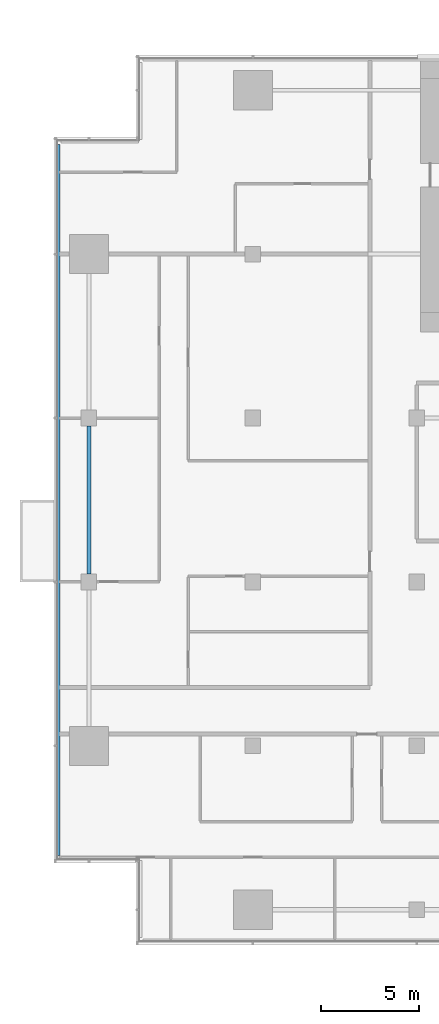
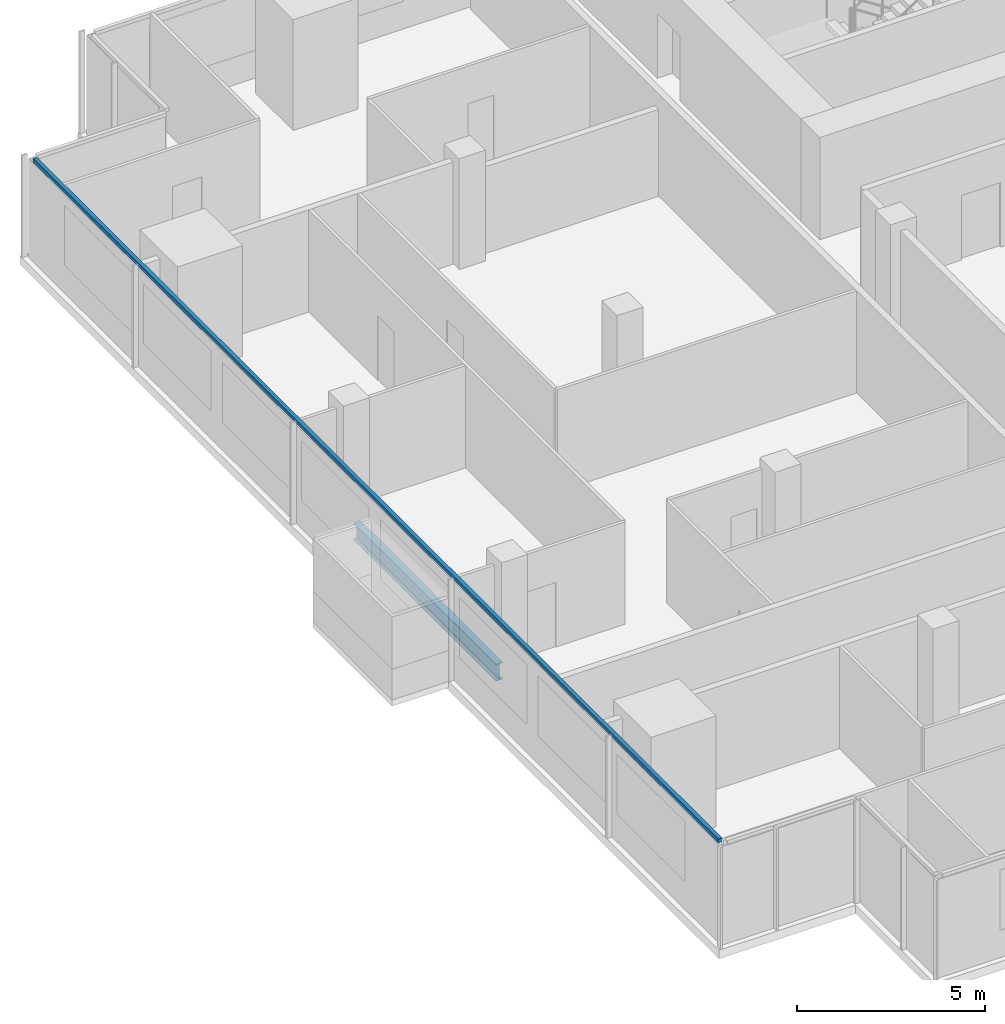
# One storey, part 3 of 26: 1 beam, 1 member, 1 element without a shape of its own.
"""IFC4 building model written with IfcOpenShell, lengths in metres."""

from ifc_helpers import new_model, si_unit, direction, frame, origin, origin_2d, place, context, subcontext, project, spatial, rectangle, i_section, extrude, material, material_profile, profile_set, type_object, element, aggregate, save


model = new_model("IFC4")

# Units and contexts
model_context = context("Model", 3, precision=1e-05, world=origin(), true_north=direction((0.0, 1.0)))
body_context = subcontext(model_context, "Body", "Model", "MODEL_VIEW")
ifc_project = project(units=[si_unit("LENGTHUNIT", "METRE"), si_unit("AREAUNIT", "SQUARE_METRE"), si_unit("VOLUMEUNIT", "CUBIC_METRE"), si_unit("PLANEANGLEUNIT", "RADIAN"), si_unit("MASSUNIT", "GRAM", prefix="KILO")], contexts=[model_context])

# Site, building, storey
site_placement = place(None, origin())
site = spatial("IfcSite", under=ifc_project, at=site_placement, CompositionType="ELEMENT")
building_placement = place(site_placement, origin())
building = spatial("IfcBuilding", under=site, at=building_placement, Name="Saffron Gate Tower", CompositionType="ELEMENT")
storey_placement = place(building_placement, frame((0.0, 0.0, 120.449951171875)))
storey = spatial("IfcBuildingStorey", under=building, at=storey_placement, Name="L28", CompositionType="ELEMENT", Elevation=120.449951171875)

# Beam
ifc_material_1 = material(Name="Structural steel S355", Category="steel")
ifc_material_profile_1 = material_profile(ifc_material_1, i_section(OverallWidth=0.2099609375, OverallDepth=0.550048828125, WebThickness=0.010986328125, FlangeThickness=0.01708984375, FilletRadius=0.02392578125, at=origin_2d()))
ifc_profile_set_1 = profile_set([ifc_material_profile_1], Name="Structural steel S355")
beam_type = type_object("IfcBeamType", Name="B13 IPE 550", PredefinedType="SPANDREL", material=ifc_profile_set_1)
beam_placement = place(storey_placement, frame((49.800048828125, 49.0, -0.554931640625), z_axis=(0.0, 1.0, 0.0), x_axis=(-1.0, 0.0, 0.0)))
element("IfcBeam", 1, at=beam_placement, inside=storey, type_object=beam_type, Name="B13 SPANDREL BEAM", PredefinedType="SPANDREL", context=body_context, shape_type="SweptSolid", body=[
    extrude(i_section(OverallWidth=0.2099609375, OverallDepth=0.550048828125, WebThickness=0.010986328125, FlangeThickness=0.01708984375, FilletRadius=0.02392578125, at=origin_2d()), origin(), (0.0, 0.0, 1.0), 7.60009765625),
])

# Curtain wall, member
ifc_material_2 = material(Name="Aluminium, bronze anodised", Category="aluminium")
curtain_wall_type = type_object("IfcCurtainWallType", Name="CWS2 curtain wall side facades", PredefinedType="NOTDEFINED", material=ifc_material_2)
curtain_wall_placement = place(storey_placement, origin())
curtain_wall = element("IfcCurtainWall", 2, at=curtain_wall_placement, inside=storey, type_object=curtain_wall_type, Name="CWS2 run 10", PredefinedType="NOTDEFINED")
ifc_material_profile_2 = material_profile(ifc_material_2, rectangle(XDim=0.1201171875, YDim=0.1201171875, at=origin_2d()))
ifc_profile_set_2 = profile_set([ifc_material_profile_2], Name="Aluminium, bronze anodised")
member_type = type_object("IfcMemberType", Name="CWS2 head transom", PredefinedType="USERDEFINED", material=ifc_profile_set_2)
member_placement = place(storey_placement, frame((48.248046875, 71.031982421875, 3.260009765625), z_axis=(0.0, -1.0, 0.0), x_axis=(1.0, 0.0, 0.0)))
member = element("IfcMember", 3, at=member_placement, type_object=member_type, Name="CWS2 head transom", ObjectType="TRANSOM", PredefinedType="USERDEFINED", context=body_context, shape_type="SweptSolid", body=[
    extrude(rectangle(XDim=0.1201171875, YDim=0.1201171875, at=origin_2d()), origin(), (0.0, 0.0, 1.0), 36.4638671875),
])
aggregate(curtain_wall, [member])

save(model, "model.ifc")
